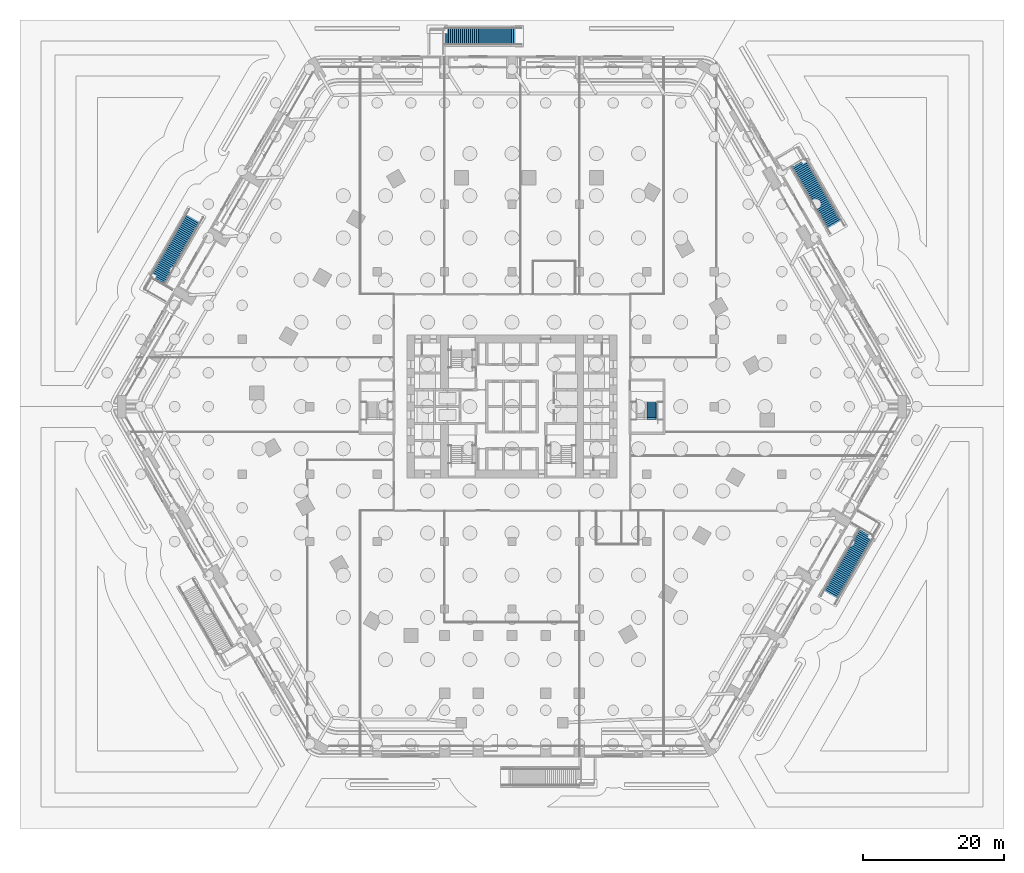
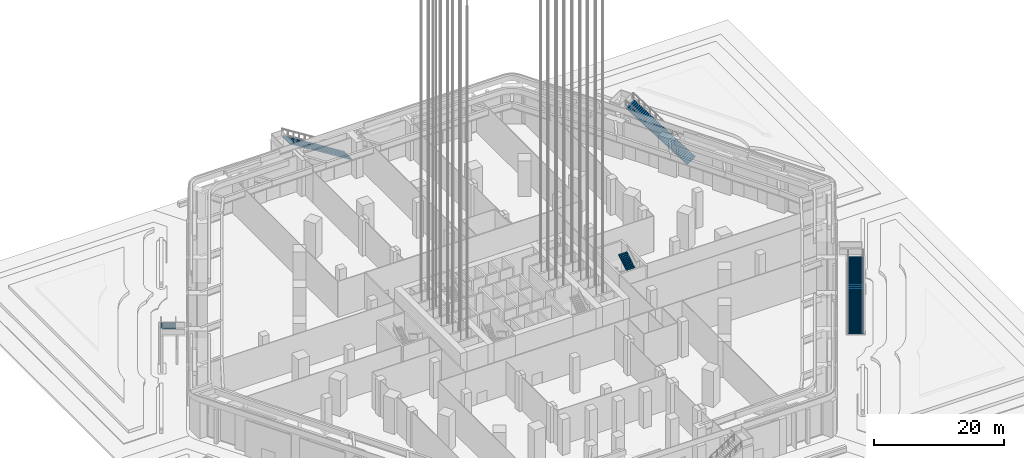
# One storey, part 26 of 68: 5 stair flights, 5 elements without a shape of their own.
"""IFC4 building model written with IfcOpenShell, lengths in metres."""

from ifc_helpers import new_model, si_unit, direction, frame, origin, place, context, subcontext, project, spatial, polyline, outline, extrude, material, type_object, element, aggregate, save


model = new_model("IFC4")

# Units and contexts
model_context = context("Model", 3, precision=1e-05, world=origin(), true_north=direction((0.0, 1.0)))
body_context = subcontext(model_context, "Body", "Model", "MODEL_VIEW")
ifc_project = project(units=[si_unit("LENGTHUNIT", "METRE"), si_unit("AREAUNIT", "SQUARE_METRE"), si_unit("VOLUMEUNIT", "CUBIC_METRE"), si_unit("PLANEANGLEUNIT", "RADIAN"), si_unit("MASSUNIT", "GRAM", prefix="KILO")], contexts=[model_context])

# Site, building, storey
site_placement = place(None, origin())
site = spatial("IfcSite", under=ifc_project, at=site_placement, CompositionType="ELEMENT")
building_placement = place(site_placement, origin())
building = spatial("IfcBuilding", under=site, at=building_placement, Name="Kolab Exchange Tower", CompositionType="ELEMENT")
storey_placement = place(building_placement, origin())
storey = spatial("IfcBuildingStorey", under=building, at=storey_placement, Name="L00", CompositionType="ELEMENT", Elevation=0.0)

# Stair, stair flight
ifc_material_1 = material(Name="Concrete C40/50", Category="concrete")
stair_type_1 = type_object("IfcStairType", Name="GARDEN STAIR RUN C", PredefinedType="STRAIGHT_RUN_STAIR", material=ifc_material_1)
stair_1_placement = place(storey_placement, origin())
stair_1 = element("IfcStair", 1, at=stair_1_placement, inside=storey, type_object=stair_type_1, Name="Garden stair GS1 run C", PredefinedType="STRAIGHT_RUN_STAIR")
stair_flight_type_1 = type_object("IfcStairFlightType", Name="GARDEN STAIR FLIGHT C", PredefinedType="STRAIGHT", material=ifc_material_1)
stair_flight_1_placement = place(storey_placement, frame((1.360107421875, 52.68310546875, 0.0), z_axis=(0.0, 0.0, 1.0), x_axis=(-1.0, 0.0, 0.0)))
stair_flight_1 = element("IfcStairFlight", 2, at=stair_flight_1_placement, type_object=stair_flight_type_1, Name="GS1 flight 1", NumberOfRisers=40, NumberOfTreads=39, PredefinedType="STRAIGHT", RiserHeight=0.175, TreadLength=0.28, context=body_context, shape_type="SweptSolid", body=[
    extrude(outline(polyline([(0.0, 0.0), (0.0, 0.175048828125), (0.280029296875, 0.175048828125), (0.280029296875, 0.35009765625), (0.56005859375, 0.35009765625), (0.56005859375, 0.52490234375), (0.840087890625, 0.52490234375), (0.840087890625, 0.699951171875), (1.1201171875, 0.699951171875), (1.1201171875, 0.875), (1.39990234375, 0.875), (1.39990234375, 1.050048828125), (1.679931640625, 1.050048828125), (1.679931640625, 1.22509765625), (1.9599609375, 1.22509765625), (1.9599609375, 1.39990234375), (2.239990234375, 1.39990234375), (2.239990234375, 1.574951171875), (2.52001953125, 1.574951171875), (2.52001953125, 1.75), (2.800048828125, 1.75), (2.800048828125, 1.925048828125), (3.080078125, 1.925048828125), (3.080078125, 2.10009765625), (3.360107421875, 2.10009765625), (3.360107421875, 2.27490234375), (3.639892578125, 2.27490234375), (3.639892578125, 2.449951171875), (3.919921875, 2.449951171875), (3.919921875, 2.625), (4.199951171875, 2.625), (4.199951171875, 2.800048828125), (4.47998046875, 2.800048828125), (4.47998046875, 2.97509765625), (4.760009765625, 2.97509765625), (4.760009765625, 3.14990234375), (5.0400390625, 3.14990234375), (5.0400390625, 3.324951171875), (5.320068359375, 3.324951171875), (5.320068359375, 3.5), (5.60009765625, 3.5), (5.60009765625, 3.675048828125), (5.8798828125, 3.675048828125), (5.8798828125, 3.85009765625), (6.159912109375, 3.85009765625), (6.159912109375, 4.02490234375), (6.43994140625, 4.02490234375), (6.43994140625, 4.199951171875), (6.719970703125, 4.199951171875), (6.719970703125, 4.375), (7.0, 4.375), (7.0, 4.550048828125), (7.280029296875, 4.550048828125), (7.280029296875, 4.72509765625), (7.56005859375, 4.72509765625), (7.56005859375, 4.89990234375), (7.840087890625, 4.89990234375), (7.840087890625, 5.074951171875), (8.1201171875, 5.074951171875), (8.1201171875, 5.25), (8.39990234375, 5.25), (8.39990234375, 5.425048828125), (8.679931640625, 5.425048828125), (8.679931640625, 5.60009765625), (8.9599609375, 5.60009765625), (8.9599609375, 5.77490234375), (9.239990234375, 5.77490234375), (9.239990234375, 5.949951171875), (9.52001953125, 5.949951171875), (9.52001953125, 6.125), (9.800048828125, 6.125), (9.800048828125, 6.300048828125), (10.080078125, 6.300048828125), (10.080078125, 6.47509765625), (10.360107421875, 6.47509765625), (10.360107421875, 6.64990234375), (10.639892578125, 6.64990234375), (10.639892578125, 6.824951171875), (10.919921875, 6.824951171875), (10.919921875, 7.0), (10.919921875, 6.648193359375), (0.28271484375, 0.0), (0.0, 0.0)])), frame((0.0, 1.199951171875, 0.0), z_axis=(0.0, -1.0, 0.0), x_axis=(1.0, 0.0, 0.0)), (0.0, 0.0, 1.0), 2.39990234375),
])
aggregate(stair_1, [stair_flight_1])

stair_2_placement = place(storey_placement, origin())
stair_2 = element("IfcStair", 3, at=stair_2_placement, inside=storey, type_object=stair_type_1, Name="Garden stair GS2 run C", PredefinedType="STRAIGHT_RUN_STAIR")
stair_flight_2_placement = place(storey_placement, frame((46.304931640625, 25.163818359375, 0.0), z_axis=(0.0, 0.0, 1.0), x_axis=(-0.5, 0.866025403784, 0.0)))
stair_flight_2 = element("IfcStairFlight", 4, at=stair_flight_2_placement, type_object=stair_flight_type_1, Name="GS2 flight 1", NumberOfRisers=40, NumberOfTreads=39, PredefinedType="STRAIGHT", RiserHeight=0.175, TreadLength=0.28, context=body_context, shape_type="SweptSolid", body=[
    extrude(outline(polyline([(0.0, 0.0), (0.0, 0.175048828125), (0.280029296875, 0.175048828125), (0.280029296875, 0.35009765625), (0.56005859375, 0.35009765625), (0.56005859375, 0.52490234375), (0.840087890625, 0.52490234375), (0.840087890625, 0.699951171875), (1.1201171875, 0.699951171875), (1.1201171875, 0.875), (1.39990234375, 0.875), (1.39990234375, 1.050048828125), (1.679931640625, 1.050048828125), (1.679931640625, 1.22509765625), (1.9599609375, 1.22509765625), (1.9599609375, 1.39990234375), (2.239990234375, 1.39990234375), (2.239990234375, 1.574951171875), (2.52001953125, 1.574951171875), (2.52001953125, 1.75), (2.800048828125, 1.75), (2.800048828125, 1.925048828125), (3.080078125, 1.925048828125), (3.080078125, 2.10009765625), (3.360107421875, 2.10009765625), (3.360107421875, 2.27490234375), (3.639892578125, 2.27490234375), (3.639892578125, 2.449951171875), (3.919921875, 2.449951171875), (3.919921875, 2.625), (4.199951171875, 2.625), (4.199951171875, 2.800048828125), (4.47998046875, 2.800048828125), (4.47998046875, 2.97509765625), (4.760009765625, 2.97509765625), (4.760009765625, 3.14990234375), (5.0400390625, 3.14990234375), (5.0400390625, 3.324951171875), (5.320068359375, 3.324951171875), (5.320068359375, 3.5), (5.60009765625, 3.5), (5.60009765625, 3.675048828125), (5.8798828125, 3.675048828125), (5.8798828125, 3.85009765625), (6.159912109375, 3.85009765625), (6.159912109375, 4.02490234375), (6.43994140625, 4.02490234375), (6.43994140625, 4.199951171875), (6.719970703125, 4.199951171875), (6.719970703125, 4.375), (7.0, 4.375), (7.0, 4.550048828125), (7.280029296875, 4.550048828125), (7.280029296875, 4.72509765625), (7.56005859375, 4.72509765625), (7.56005859375, 4.89990234375), (7.840087890625, 4.89990234375), (7.840087890625, 5.074951171875), (8.1201171875, 5.074951171875), (8.1201171875, 5.25), (8.39990234375, 5.25), (8.39990234375, 5.425048828125), (8.679931640625, 5.425048828125), (8.679931640625, 5.60009765625), (8.9599609375, 5.60009765625), (8.9599609375, 5.77490234375), (9.239990234375, 5.77490234375), (9.239990234375, 5.949951171875), (9.52001953125, 5.949951171875), (9.52001953125, 6.125), (9.800048828125, 6.125), (9.800048828125, 6.300048828125), (10.080078125, 6.300048828125), (10.080078125, 6.47509765625), (10.360107421875, 6.47509765625), (10.360107421875, 6.64990234375), (10.639892578125, 6.64990234375), (10.639892578125, 6.824951171875), (10.919921875, 6.824951171875), (10.919921875, 7.0), (10.919921875, 6.648193359375), (0.28271484375, 0.0), (0.0, 0.0)])), frame((0.0, 1.199951171875, 0.0), z_axis=(0.0, -1.0, 0.0), x_axis=(1.0, 0.0, 0.0)), (0.0, 0.0, 1.0), 2.39990234375),
])
aggregate(stair_2, [stair_flight_2])

stair_3_placement = place(storey_placement, origin())
stair_3 = element("IfcStair", 5, at=stair_3_placement, inside=storey, type_object=stair_type_1, Name="Garden stair GS3 run C", PredefinedType="STRAIGHT_RUN_STAIR")
stair_flight_3_placement = place(storey_placement, frame((44.94482421875, -27.519287109375, 0.0), z_axis=(0.0, 0.0, 1.0), x_axis=(0.5, 0.866025403784, 0.0)))
stair_flight_3 = element("IfcStairFlight", 6, at=stair_flight_3_placement, type_object=stair_flight_type_1, Name="GS3 flight 1", NumberOfRisers=40, NumberOfTreads=39, PredefinedType="STRAIGHT", RiserHeight=0.175, TreadLength=0.28, context=body_context, shape_type="SweptSolid", body=[
    extrude(outline(polyline([(0.0, 0.0), (0.0, 0.175048828125), (0.280029296875, 0.175048828125), (0.280029296875, 0.35009765625), (0.56005859375, 0.35009765625), (0.56005859375, 0.52490234375), (0.840087890625, 0.52490234375), (0.840087890625, 0.699951171875), (1.1201171875, 0.699951171875), (1.1201171875, 0.875), (1.39990234375, 0.875), (1.39990234375, 1.050048828125), (1.679931640625, 1.050048828125), (1.679931640625, 1.22509765625), (1.9599609375, 1.22509765625), (1.9599609375, 1.39990234375), (2.239990234375, 1.39990234375), (2.239990234375, 1.574951171875), (2.52001953125, 1.574951171875), (2.52001953125, 1.75), (2.800048828125, 1.75), (2.800048828125, 1.925048828125), (3.080078125, 1.925048828125), (3.080078125, 2.10009765625), (3.360107421875, 2.10009765625), (3.360107421875, 2.27490234375), (3.639892578125, 2.27490234375), (3.639892578125, 2.449951171875), (3.919921875, 2.449951171875), (3.919921875, 2.625), (4.199951171875, 2.625), (4.199951171875, 2.800048828125), (4.47998046875, 2.800048828125), (4.47998046875, 2.97509765625), (4.760009765625, 2.97509765625), (4.760009765625, 3.14990234375), (5.0400390625, 3.14990234375), (5.0400390625, 3.324951171875), (5.320068359375, 3.324951171875), (5.320068359375, 3.5), (5.60009765625, 3.5), (5.60009765625, 3.675048828125), (5.8798828125, 3.675048828125), (5.8798828125, 3.85009765625), (6.159912109375, 3.85009765625), (6.159912109375, 4.02490234375), (6.43994140625, 4.02490234375), (6.43994140625, 4.199951171875), (6.719970703125, 4.199951171875), (6.719970703125, 4.375), (7.0, 4.375), (7.0, 4.550048828125), (7.280029296875, 4.550048828125), (7.280029296875, 4.72509765625), (7.56005859375, 4.72509765625), (7.56005859375, 4.89990234375), (7.840087890625, 4.89990234375), (7.840087890625, 5.074951171875), (8.1201171875, 5.074951171875), (8.1201171875, 5.25), (8.39990234375, 5.25), (8.39990234375, 5.425048828125), (8.679931640625, 5.425048828125), (8.679931640625, 5.60009765625), (8.9599609375, 5.60009765625), (8.9599609375, 5.77490234375), (9.239990234375, 5.77490234375), (9.239990234375, 5.949951171875), (9.52001953125, 5.949951171875), (9.52001953125, 6.125), (9.800048828125, 6.125), (9.800048828125, 6.300048828125), (10.080078125, 6.300048828125), (10.080078125, 6.47509765625), (10.360107421875, 6.47509765625), (10.360107421875, 6.64990234375), (10.639892578125, 6.64990234375), (10.639892578125, 6.824951171875), (10.919921875, 6.824951171875), (10.919921875, 7.0), (10.919921875, 6.648193359375), (0.28271484375, 0.0), (0.0, 0.0)])), frame((0.0, 1.199951171875, 0.0), z_axis=(0.0, -1.0, 0.0), x_axis=(1.0, 0.0, 0.0)), (0.0, 0.0, 1.0), 2.39990234375),
])
aggregate(stair_3, [stair_flight_3])

stair_4_placement = place(storey_placement, origin())
stair_4 = element("IfcStair", 7, at=stair_4_placement, inside=storey, type_object=stair_type_1, Name="Garden stair GS6 run C", PredefinedType="STRAIGHT_RUN_STAIR")
stair_flight_4_placement = place(storey_placement, frame((-44.94482421875, 27.519287109375, 0.0), z_axis=(0.0, 0.0, 1.0), x_axis=(-0.5, -0.866025403784, 0.0)))
stair_flight_4 = element("IfcStairFlight", 8, at=stair_flight_4_placement, type_object=stair_flight_type_1, Name="GS6 flight 1", NumberOfRisers=40, NumberOfTreads=39, PredefinedType="STRAIGHT", RiserHeight=0.175, TreadLength=0.28, context=body_context, shape_type="SweptSolid", body=[
    extrude(outline(polyline([(0.0, 0.0), (0.0, 0.175048828125), (0.280029296875, 0.175048828125), (0.280029296875, 0.35009765625), (0.56005859375, 0.35009765625), (0.56005859375, 0.52490234375), (0.840087890625, 0.52490234375), (0.840087890625, 0.699951171875), (1.1201171875, 0.699951171875), (1.1201171875, 0.875), (1.39990234375, 0.875), (1.39990234375, 1.050048828125), (1.679931640625, 1.050048828125), (1.679931640625, 1.22509765625), (1.9599609375, 1.22509765625), (1.9599609375, 1.39990234375), (2.239990234375, 1.39990234375), (2.239990234375, 1.574951171875), (2.52001953125, 1.574951171875), (2.52001953125, 1.75), (2.800048828125, 1.75), (2.800048828125, 1.925048828125), (3.080078125, 1.925048828125), (3.080078125, 2.10009765625), (3.360107421875, 2.10009765625), (3.360107421875, 2.27490234375), (3.639892578125, 2.27490234375), (3.639892578125, 2.449951171875), (3.919921875, 2.449951171875), (3.919921875, 2.625), (4.199951171875, 2.625), (4.199951171875, 2.800048828125), (4.47998046875, 2.800048828125), (4.47998046875, 2.97509765625), (4.760009765625, 2.97509765625), (4.760009765625, 3.14990234375), (5.0400390625, 3.14990234375), (5.0400390625, 3.324951171875), (5.320068359375, 3.324951171875), (5.320068359375, 3.5), (5.60009765625, 3.5), (5.60009765625, 3.675048828125), (5.8798828125, 3.675048828125), (5.8798828125, 3.85009765625), (6.159912109375, 3.85009765625), (6.159912109375, 4.02490234375), (6.43994140625, 4.02490234375), (6.43994140625, 4.199951171875), (6.719970703125, 4.199951171875), (6.719970703125, 4.375), (7.0, 4.375), (7.0, 4.550048828125), (7.280029296875, 4.550048828125), (7.280029296875, 4.72509765625), (7.56005859375, 4.72509765625), (7.56005859375, 4.89990234375), (7.840087890625, 4.89990234375), (7.840087890625, 5.074951171875), (8.1201171875, 5.074951171875), (8.1201171875, 5.25), (8.39990234375, 5.25), (8.39990234375, 5.425048828125), (8.679931640625, 5.425048828125), (8.679931640625, 5.60009765625), (8.9599609375, 5.60009765625), (8.9599609375, 5.77490234375), (9.239990234375, 5.77490234375), (9.239990234375, 5.949951171875), (9.52001953125, 5.949951171875), (9.52001953125, 6.125), (9.800048828125, 6.125), (9.800048828125, 6.300048828125), (10.080078125, 6.300048828125), (10.080078125, 6.47509765625), (10.360107421875, 6.47509765625), (10.360107421875, 6.64990234375), (10.639892578125, 6.64990234375), (10.639892578125, 6.824951171875), (10.919921875, 6.824951171875), (10.919921875, 7.0), (10.919921875, 6.648193359375), (0.28271484375, 0.0), (0.0, 0.0)])), frame((0.0, 1.199951171875, 0.0), z_axis=(0.0, -1.0, 0.0), x_axis=(1.0, 0.0, 0.0)), (0.0, 0.0, 1.0), 2.39990234375),
])
aggregate(stair_4, [stair_flight_4])

ifc_material_2 = material(Name="Concrete C50/60", Category="concrete")
stair_type_2 = type_object("IfcStairType", Name="STAIR ST4 RISER 175", PredefinedType="DOUBLE_RETURN_STAIR", material=ifc_material_2)
stair_5_placement = place(storey_placement, origin())
stair_5 = element("IfcStair", 9, at=stair_5_placement, inside=storey, type_object=stair_type_2, Name="Stair 4", PredefinedType="DOUBLE_RETURN_STAIR")
stair_flight_type_2 = type_object("IfcStairFlightType", Name="STAIR FLIGHT 1500 RISER 175", PredefinedType="STRAIGHT", material=ifc_material_2)
stair_flight_5_placement = place(storey_placement, frame((19.9599609375, -1.8701171875, 5.25), z_axis=(0.0, 0.0, 1.0), x_axis=(0.0, 1.0, 0.0)))
stair_flight_5 = element("IfcStairFlight", 10, at=stair_flight_5_placement, type_object=stair_flight_type_2, Name="ST4 flight 4", NumberOfRisers=10, NumberOfTreads=9, PredefinedType="STRAIGHT", RiserHeight=0.175, TreadLength=0.28, context=body_context, shape_type="SweptSolid", body=[
    extrude(outline(polyline([(0.0, 0.0), (0.0, 0.175048828125), (0.280029296875, 0.175048828125), (0.280029296875, 0.35009765625), (0.56005859375, 0.35009765625), (0.56005859375, 0.52490234375), (0.840087890625, 0.52490234375), (0.840087890625, 0.699951171875), (1.1201171875, 0.699951171875), (1.1201171875, 0.875), (1.39990234375, 0.875), (1.39990234375, 1.050048828125), (1.679931640625, 1.050048828125), (1.679931640625, 1.22509765625), (1.9599609375, 1.22509765625), (1.9599609375, 1.39990234375), (2.239990234375, 1.39990234375), (2.239990234375, 1.574951171875), (2.52001953125, 1.574951171875), (2.52001953125, 1.75), (2.52001953125, 1.398193359375), (0.28271484375, 0.0), (0.0, 0.0)])), frame((0.0, 0.75, 0.0), z_axis=(0.0, -1.0, 0.0), x_axis=(1.0, 0.0, 0.0)), (0.0, 0.0, 1.0), 0.185791015625),
    extrude(outline(polyline([(0.0, 0.0), (0.0, 0.175048828125), (0.280029296875, 0.175048828125), (0.280029296875, 0.35009765625), (0.56005859375, 0.35009765625), (0.56005859375, 0.52490234375), (0.840087890625, 0.52490234375), (0.840087890625, 0.699951171875), (1.1201171875, 0.699951171875), (1.1201171875, 0.875), (1.39990234375, 0.875), (1.39990234375, 1.050048828125), (1.679931640625, 1.050048828125), (1.679931640625, 1.22509765625), (1.9599609375, 1.22509765625), (1.9599609375, 1.39990234375), (2.239990234375, 1.39990234375), (2.239990234375, 1.574951171875), (2.52001953125, 1.574951171875), (2.52001953125, 1.75), (2.52001953125, 1.398193359375), (0.28271484375, 0.0), (0.0, 0.0)])), frame((0.0, 0.562255859375, 0.0), z_axis=(0.0, -1.0, 0.0), x_axis=(1.0, 0.0, 0.0)), (0.0, 0.0, 1.0), 0.185791015625),
    extrude(outline(polyline([(0.0, 0.0), (0.0, 0.175048828125), (0.280029296875, 0.175048828125), (0.280029296875, 0.35009765625), (0.56005859375, 0.35009765625), (0.56005859375, 0.52490234375), (0.840087890625, 0.52490234375), (0.840087890625, 0.699951171875), (1.1201171875, 0.699951171875), (1.1201171875, 0.875), (1.39990234375, 0.875), (1.39990234375, 1.050048828125), (1.679931640625, 1.050048828125), (1.679931640625, 1.22509765625), (1.9599609375, 1.22509765625), (1.9599609375, 1.39990234375), (2.239990234375, 1.39990234375), (2.239990234375, 1.574951171875), (2.52001953125, 1.574951171875), (2.52001953125, 1.75), (2.52001953125, 1.398193359375), (0.28271484375, 0.0), (0.0, 0.0)])), frame((0.0, 0.37451171875, 0.0), z_axis=(0.0, -1.0, 0.0), x_axis=(1.0, 0.0, 0.0)), (0.0, 0.0, 1.0), 0.185791015625),
    extrude(outline(polyline([(0.0, 0.0), (0.0, 0.175048828125), (0.280029296875, 0.175048828125), (0.280029296875, 0.35009765625), (0.56005859375, 0.35009765625), (0.56005859375, 0.52490234375), (0.840087890625, 0.52490234375), (0.840087890625, 0.699951171875), (1.1201171875, 0.699951171875), (1.1201171875, 0.875), (1.39990234375, 0.875), (1.39990234375, 1.050048828125), (1.679931640625, 1.050048828125), (1.679931640625, 1.22509765625), (1.9599609375, 1.22509765625), (1.9599609375, 1.39990234375), (2.239990234375, 1.39990234375), (2.239990234375, 1.574951171875), (2.52001953125, 1.574951171875), (2.52001953125, 1.75), (2.52001953125, 1.398193359375), (0.28271484375, 0.0), (0.0, 0.0)])), frame((0.0, 0.186767578125, 0.0), z_axis=(0.0, -1.0, 0.0), x_axis=(1.0, 0.0, 0.0)), (0.0, 0.0, 1.0), 0.185791015625),
    extrude(outline(polyline([(0.0, 0.0), (0.0, 0.175048828125), (0.280029296875, 0.175048828125), (0.280029296875, 0.35009765625), (0.56005859375, 0.35009765625), (0.56005859375, 0.52490234375), (0.840087890625, 0.52490234375), (0.840087890625, 0.699951171875), (1.1201171875, 0.699951171875), (1.1201171875, 0.875), (1.39990234375, 0.875), (1.39990234375, 1.050048828125), (1.679931640625, 1.050048828125), (1.679931640625, 1.22509765625), (1.9599609375, 1.22509765625), (1.9599609375, 1.39990234375), (2.239990234375, 1.39990234375), (2.239990234375, 1.574951171875), (2.52001953125, 1.574951171875), (2.52001953125, 1.75), (2.52001953125, 1.398193359375), (0.28271484375, 0.0), (0.0, 0.0)])), frame((0.0, -0.0009765625, 0.0), z_axis=(0.0, -1.0, 0.0), x_axis=(1.0, 0.0, 0.0)), (0.0, 0.0, 1.0), 0.185791015625),
    extrude(outline(polyline([(0.0, 0.0), (0.0, 0.175048828125), (0.280029296875, 0.175048828125), (0.280029296875, 0.35009765625), (0.56005859375, 0.35009765625), (0.56005859375, 0.52490234375), (0.840087890625, 0.52490234375), (0.840087890625, 0.699951171875), (1.1201171875, 0.699951171875), (1.1201171875, 0.875), (1.39990234375, 0.875), (1.39990234375, 1.050048828125), (1.679931640625, 1.050048828125), (1.679931640625, 1.22509765625), (1.9599609375, 1.22509765625), (1.9599609375, 1.39990234375), (2.239990234375, 1.39990234375), (2.239990234375, 1.574951171875), (2.52001953125, 1.574951171875), (2.52001953125, 1.75), (2.52001953125, 1.398193359375), (0.28271484375, 0.0), (0.0, 0.0)])), frame((0.0, -0.188720703125, 0.0), z_axis=(0.0, -1.0, 0.0), x_axis=(1.0, 0.0, 0.0)), (0.0, 0.0, 1.0), 0.185791015625),
    extrude(outline(polyline([(0.0, 0.0), (0.0, 0.175048828125), (0.280029296875, 0.175048828125), (0.280029296875, 0.35009765625), (0.56005859375, 0.35009765625), (0.56005859375, 0.52490234375), (0.840087890625, 0.52490234375), (0.840087890625, 0.699951171875), (1.1201171875, 0.699951171875), (1.1201171875, 0.875), (1.39990234375, 0.875), (1.39990234375, 1.050048828125), (1.679931640625, 1.050048828125), (1.679931640625, 1.22509765625), (1.9599609375, 1.22509765625), (1.9599609375, 1.39990234375), (2.239990234375, 1.39990234375), (2.239990234375, 1.574951171875), (2.52001953125, 1.574951171875), (2.52001953125, 1.75), (2.52001953125, 1.398193359375), (0.28271484375, 0.0), (0.0, 0.0)])), frame((0.0, -0.37646484375, 0.0), z_axis=(0.0, -1.0, 0.0), x_axis=(1.0, 0.0, 0.0)), (0.0, 0.0, 1.0), 0.185791015625),
    extrude(outline(polyline([(0.0, 0.0), (0.0, 0.175048828125), (0.280029296875, 0.175048828125), (0.280029296875, 0.35009765625), (0.56005859375, 0.35009765625), (0.56005859375, 0.52490234375), (0.840087890625, 0.52490234375), (0.840087890625, 0.699951171875), (1.1201171875, 0.699951171875), (1.1201171875, 0.875), (1.39990234375, 0.875), (1.39990234375, 1.050048828125), (1.679931640625, 1.050048828125), (1.679931640625, 1.22509765625), (1.9599609375, 1.22509765625), (1.9599609375, 1.39990234375), (2.239990234375, 1.39990234375), (2.239990234375, 1.574951171875), (2.52001953125, 1.574951171875), (2.52001953125, 1.75), (2.52001953125, 1.398193359375), (0.28271484375, 0.0), (0.0, 0.0)])), frame((0.0, -0.564208984375, 0.0), z_axis=(0.0, -1.0, 0.0), x_axis=(1.0, 0.0, 0.0)), (0.0, 0.0, 1.0), 0.185791015625),
])
aggregate(stair_5, [stair_flight_5])

save(model, "model.ifc")
